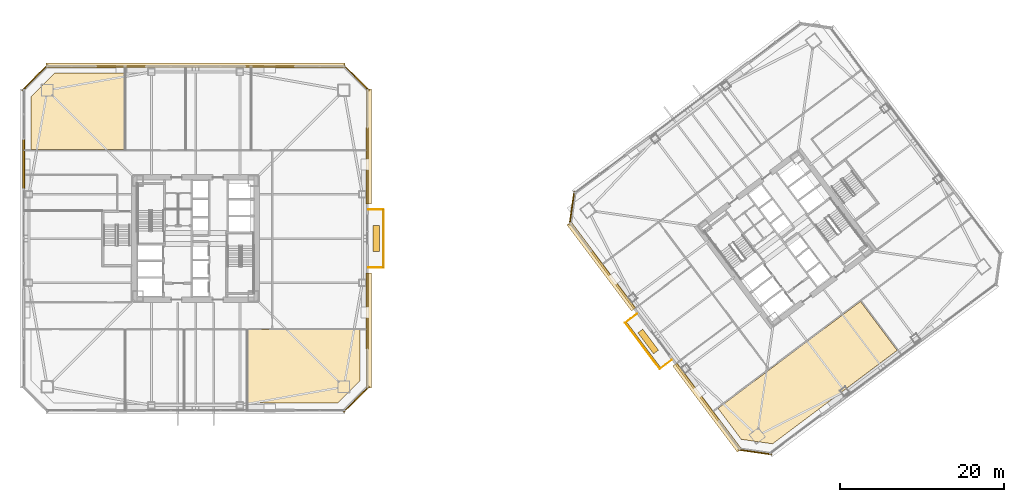
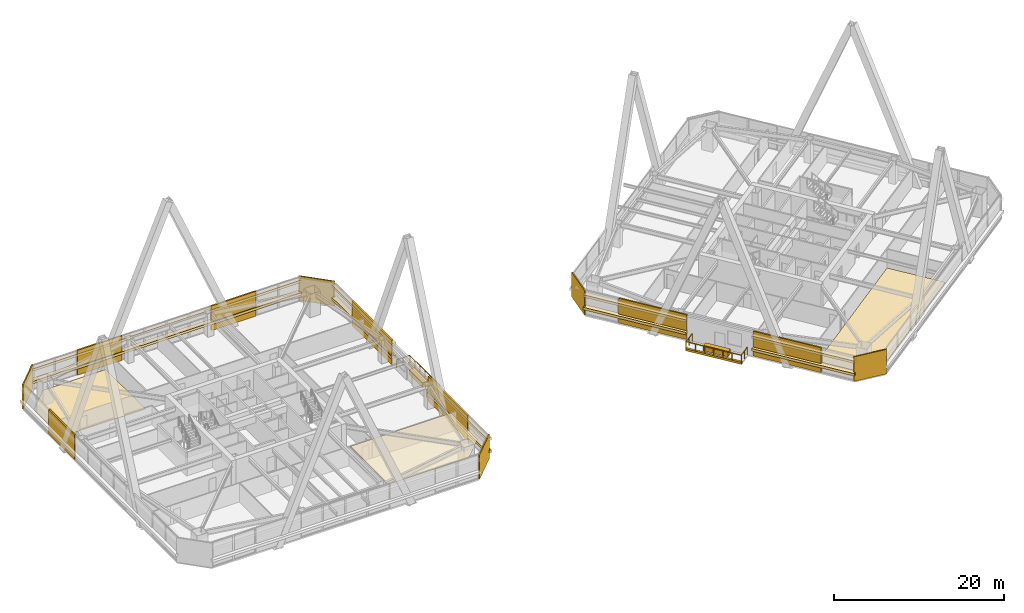
# One storey, part 50 of 54: 29 coverings, 6 railings.
"""IFC4 building model written with IfcOpenShell, lengths in metres."""

from ifc_helpers import new_model, si_unit, direction, frame, origin, origin_2d, place, context, subcontext, project, spatial, polyline, rectangle, outline, extrude, material, layer, layer_set, type_object, element, save


model = new_model("IFC4")

# Units and contexts
model_context = context("Model", 3, precision=1e-05, world=origin(), true_north=direction((0.0, 1.0)))
body_context = subcontext(model_context, "Body", "Model", "MODEL_VIEW")
ifc_project = project(units=[si_unit("LENGTHUNIT", "METRE"), si_unit("AREAUNIT", "SQUARE_METRE"), si_unit("VOLUMEUNIT", "CUBIC_METRE"), si_unit("PLANEANGLEUNIT", "RADIAN"), si_unit("MASSUNIT", "GRAM", prefix="KILO")], contexts=[model_context])

# Site, building, storey
site_placement = place(None, origin())
site = spatial("IfcSite", under=ifc_project, at=site_placement, CompositionType="ELEMENT")
building_placement = place(site_placement, origin())
building = spatial("IfcBuilding", under=site, at=building_placement, Name="Tashvorn Skyway Center", CompositionType="ELEMENT")
storey_placement = place(building_placement, frame((0.0, 0.0, 88.5)))
storey = spatial("IfcBuildingStorey", under=building, at=storey_placement, Name="L23", CompositionType="ELEMENT", Elevation=88.5)

# Coverings
ifc_material_1 = material(Name="Precast concrete C40/50", Category="concrete")
ifc_layer_1 = layer(ifc_material_1, 0.199951171875)
ifc_layer_set_1 = layer_set([ifc_layer_1], Name="Precast concrete C40/50")
covering_type_1 = type_object("IfcCoveringType", Name="COV-BRACE-CLAD", PredefinedType="CLADDING", material=ifc_layer_set_1)
for number, where, z_axis, x_axis, name in (
    (1, (21.02001953125, 41.090087890625, 0.0), (0.0, 0.0, 1.0), (0.0, 1.0, 0.0), "Tower 1 L23 West Unitised Curtain Wall Mega-Brace Cladding Band 2"),
    (2, (32.909912109375, 52.97998046875, 0.0), (0.0, 0.0, 1.0), (1.0, 0.0, 0.0), "Tower 1 L23 North Unitised Curtain Wall Mega-Brace Cladding Band 1"),
    (3, (51.090087890625, 52.97998046875, 0.0), (0.0, 0.0, 1.0), (1.0, 0.0, 0.0), "Tower 1 L23 North Unitised Curtain Wall Mega-Brace Cladding Band 2"),
):
    element("IfcCovering", number, at=place(storey_placement, frame(where, z_axis=z_axis, x_axis=x_axis)), inside=storey, type_object=covering_type_1, Name=name, PredefinedType="CLADDING", context=body_context, shape_type="SweptSolid", body=[
        extrude(rectangle(XDim=6.06005859375, YDim=0.199951171875, at=origin_2d()), origin(), (0.0, 0.0, 1.0), 3.550048828125),
    ])
for number, where, z_axis, x_axis, name in (
    (4, (62.97998046875, 40.893310546875, 0.0), (0.0, 0.0, 1.0), (0.0, -1.0, 0.0), "Tower 1 L23 East Curtain Wall L Mega-Brace Cladding Band 1"),
    (5, (62.97998046875, 23.106689453125, 0.0), (0.0, 0.0, 1.0), (0.0, -1.0, 0.0), "Tower 1 L23 East Curtain Wall R Mega-Brace Cladding Band 1"),
):
    element("IfcCovering", number, at=place(storey_placement, frame(where, z_axis=z_axis, x_axis=x_axis)), inside=storey, type_object=covering_type_1, Name=name, PredefinedType="CLADDING", context=body_context, shape_type="SweptSolid", body=[
        extrude(rectangle(XDim=9.28662109375, YDim=0.199951171875, at=origin_2d()), origin(), (0.0, 0.0, 1.0), 3.550048828125),
    ])
for number, where, z_axis, x_axis, name in (
    (6, (103.251953125, 13.197265625, 0.0), (0.0, 0.0, 1.0), (-0.600000004945, 0.799999996291, 0.0), "Tower 2 L23 West Curtain Wall L Mega-Brace Cladding Band 1"),
    (7, (92.93994140625, 26.946533203125, 0.0), (0.0, 0.0, 1.0), (-0.600000004945, 0.799999996291, 0.0), "Tower 2 L23 West Curtain Wall R Mega-Brace Cladding Band 1"),
):
    element("IfcCovering", number, at=place(storey_placement, frame(where, z_axis=z_axis, x_axis=x_axis)), inside=storey, type_object=covering_type_1, Name=name, PredefinedType="CLADDING", context=body_context, shape_type="SweptSolid", body=[
        extrude(rectangle(XDim=8.6865234375, YDim=0.199951171875, at=origin_2d()), origin(), (0.0, 0.0, 1.0), 3.550048828125),
    ])
ifc_material_2 = material(Name="Mineral-fibre acoustic ceiling tile on suspended grid")
ifc_layer_2 = layer(ifc_material_2, 0.02001953125)
ifc_layer_set_2 = layer_set([ifc_layer_2], Name="Mineral-fibre acoustic ceiling tile on suspended grid")
covering_type_2 = type_object("IfcCoveringType", Name="COV-CEIL-20", PredefinedType="CEILING", material=ifc_layer_set_2)
covering_1_placement = place(storey_placement, frame((0.0, 0.0, 2.68310546875)))
element("IfcCovering", 8, at=covering_1_placement, inside=storey, type_object=covering_type_2, Name="Tower 1 L23 Catering Pantry Acoustic Ceiling", PredefinedType="CEILING", context=body_context, shape_type="SweptSolid", body=[
    extrude(outline(polyline([(48.419921875, 11.919921875), (48.419921875, 20.909912109375), (62.080078125, 20.909912109375), (62.080078125, 14.679931640625), (59.320068359375, 11.919921875), (48.419921875, 11.919921875)])), origin(), (0.0, 0.0, 1.0), 0.019775390625),
])
ifc_material_3 = material(Name="Polished Mojave desert-aggregate terrazzo and cover plate")
ifc_layer_3 = layer(ifc_material_3, 0.0400390625)
ifc_layer_set_3 = layer_set([ifc_layer_3], Name="Polished Mojave desert-aggregate terrazzo and cover plate")
covering_type_3 = type_object("IfcCoveringType", Name="COV-FLR-40", PredefinedType="FLOORING", material=ifc_layer_set_3)
covering_2_placement = place(storey_placement, origin())
element("IfcCovering", 9, at=covering_2_placement, inside=storey, type_object=covering_type_3, Name="Tower 1 L23 Conference Room Finish Flooring", PredefinedType="FLOORING", context=body_context, shape_type="SweptSolid", body=[
    extrude(outline(polyline([(33.320068359375, 42.85009765625), (21.8798828125, 42.85009765625), (21.8798828125, 49.280029296875), (24.800048828125, 52.199951171875), (33.320068359375, 52.199951171875), (33.320068359375, 42.85009765625)])), origin(), (0.0, 0.0, 1.0), 0.0400390625),
])
covering_3_placement = place(storey_placement, origin())
element("IfcCovering", 10, at=covering_3_placement, inside=storey, type_object=covering_type_3, Name="Tower 2 L23 Wellness Clinic Finish Flooring", PredefinedType="FLOORING", context=body_context, shape_type="SweptSolid", body=[
    extrude(outline(polyline([(112.419921875, 6.93994140625), (108.612060546875, 7.48388671875), (105.77392578125, 11.26806640625), (123.166015625, 24.31201171875), (127.635986328125, 18.35205078125), (112.419921875, 6.93994140625)])), origin(), (0.0, 0.0, 1.0), 0.0400390625),
])
ifc_material_4 = material(Name="Perforated ceramic-coated bronze aluminium solar screen", Category="aluminium")
ifc_layer_4 = layer(ifc_material_4, 0.85009765625)
ifc_layer_set_4 = layer_set([ifc_layer_4], Name="Perforated ceramic-coated bronze aluminium solar screen")
covering_type_4 = type_object("IfcCoveringType", Name="COV-SOLAR-BAND", PredefinedType="CLADDING", material=ifc_layer_set_4)
for number, where, z_axis, x_axis, name in (
    (11, (42.0, 53.1201171875, 0.919921875), (0.0, 0.0, 1.0), (1.0, 0.0, 0.0), "L23 Perforated Ceramic-Metal Solar Screen Louvre Band North 1"),
    (12, (42.0, 53.1201171875, 2.7197265625), (0.0, 0.0, 1.0), (1.0, 0.0, 0.0), "L23 Perforated Ceramic-Metal Solar Screen Louvre Band North 2"),
):
    element("IfcCovering", number, at=place(storey_placement, frame(where, z_axis=z_axis, x_axis=x_axis)), inside=storey, type_object=covering_type_4, Name=name, PredefinedType="CLADDING", context=body_context, shape_type="SweptSolid", body=[
        extrude(rectangle(XDim=36.47998046875, YDim=0.639892578125, at=origin_2d()), origin(), (0.0, 0.0, 1.0), 0.360107421875),
    ])
for number, where, z_axis, x_axis, name in (
    (13, (63.1201171875, 43.215087890625, 0.919921875), (0.0, 0.0, 1.0), (0.0, -1.0, 0.0), "L23 Perforated Ceramic-Metal Solar Screen Louvre Band East 1"),
    (14, (63.1201171875, 43.215087890625, 2.7197265625), (0.0, 0.0, 1.0), (0.0, -1.0, 0.0), "L23 Perforated Ceramic-Metal Solar Screen Louvre Band East 2"),
    (15, (63.1201171875, 20.784912109375, 0.919921875), (0.0, 0.0, 1.0), (0.0, -1.0, 0.0), "L23 Perforated Ceramic-Metal Solar Screen Louvre Band East 1"),
    (16, (63.1201171875, 20.784912109375, 2.7197265625), (0.0, 0.0, 1.0), (0.0, -1.0, 0.0), "L23 Perforated Ceramic-Metal Solar Screen Louvre Band East 2"),
):
    element("IfcCovering", number, at=place(storey_placement, frame(where, z_axis=z_axis, x_axis=x_axis)), inside=storey, type_object=covering_type_4, Name=name, PredefinedType="CLADDING", context=body_context, shape_type="SweptSolid", body=[
        extrude(rectangle(XDim=14.050048828125, YDim=0.639892578125, at=origin_2d()), origin(), (0.0, 0.0, 1.0), 0.360107421875),
    ])
for number, where, z_axis, x_axis, name in (
    (17, (104.443115234375, 11.3759765625, 0.919921875), (0.0, 0.0, 1.0), (-0.600000004945, 0.799999996291, 0.0), "L23 Perforated Ceramic-Metal Solar Screen Louvre Band West 1"),
    (18, (104.443115234375, 11.3759765625, 2.7197265625), (0.0, 0.0, 1.0), (-0.600000004945, 0.799999996291, 0.0), "L23 Perforated Ceramic-Metal Solar Screen Louvre Band West 2"),
    (19, (91.52490234375, 28.60009765625, 0.919921875), (0.0, 0.0, 1.0), (-0.600000004945, 0.799999996291, 0.0), "L23 Perforated Ceramic-Metal Solar Screen Louvre Band West 1"),
    (20, (91.52490234375, 28.60009765625, 2.7197265625), (0.0, 0.0, 1.0), (-0.600000004945, 0.799999996291, 0.0), "L23 Perforated Ceramic-Metal Solar Screen Louvre Band West 2"),
):
    element("IfcCovering", number, at=place(storey_placement, frame(where, z_axis=z_axis, x_axis=x_axis)), inside=storey, type_object=covering_type_4, Name=name, PredefinedType="CLADDING", context=body_context, shape_type="SweptSolid", body=[
        extrude(rectangle(XDim=13.14990234375, YDim=0.639892578125, at=origin_2d()), origin(), (0.0, 0.0, 1.0), 0.360107421875),
    ])
ifc_layer_5 = layer(ifc_material_1, 0.35009765625)
ifc_layer_set_5 = layer_set([ifc_layer_5], Name="Precast concrete C40/50")
covering_type_5 = type_object("IfcCoveringType", Name="COV-STONE-TRIM", PredefinedType="CLADDING", material=ifc_layer_set_5)
covering_4_placement = place(storey_placement, frame((64.860107421875, 32.0, -0.16015625), z_axis=(0.0, 0.0, 1.0), x_axis=(0.0, -1.0, 0.0)))
element("IfcCovering", 21, at=covering_4_placement, inside=storey, type_object=covering_type_5, Name="Tower 1 L23 Spiral Terrace Terracotta Fascia", PredefinedType="CLADDING", context=body_context, shape_type="SweptSolid", body=[
    extrude(rectangle(XDim=7.199951171875, YDim=0.280029296875, at=origin_2d()), origin(), (0.0, 0.0, 1.0), 0.280029296875),
])
covering_5_placement = place(storey_placement, frame((64.050048828125, 32.0, 0.0), z_axis=(0.0, 0.0, 1.0), x_axis=(0.0, -1.0, 0.0)))
element("IfcCovering", 22, at=covering_5_placement, inside=storey, type_object=covering_type_5, Name="Tower 1 L23 Spiral Terrace Planter", PredefinedType="CLADDING", context=body_context, shape_type="SweptSolid", body=[
    extrude(rectangle(XDim=3.199951171875, YDim=0.75, at=origin_2d()), origin(), (0.0, 0.0, 1.0), 0.679931640625),
])
for number, where, z_axis, x_axis, name in (
    (23, (22.3798828125, 51.6201171875, 0.02001953125), (0.0, 0.0, 1.0), (-0.707106781187, -0.707106781187, 0.0), "Tower 1 L23 NW Mojave Limestone Corner Quoin"),
    (24, (61.6201171875, 51.6201171875, 0.02001953125), (0.0, 0.0, 1.0), (0.707106781187, -0.707106781187, 0.0), "Tower 1 L23 NE Mojave Limestone Corner Quoin"),
    (25, (61.6201171875, 12.3798828125, 0.02001953125), (0.0, 0.0, 1.0), (0.707106781187, 0.707106781187, 0.0), "Tower 1 L23 SE Mojave Limestone Corner Quoin"),
):
    element("IfcCovering", number, at=place(storey_placement, frame(where, z_axis=z_axis, x_axis=x_axis)), inside=storey, type_object=covering_type_5, Name=name, PredefinedType="CLADDING", context=body_context, shape_type="SweptSolid", body=[
        extrude(rectangle(XDim=4.402587890625, YDim=0.139892578125, at=origin_2d()), origin(), (0.0, 0.0, 1.0), 3.510009765625),
    ])
covering_6_placement = place(storey_placement, frame((96.592041015625, 18.944091796875, -0.16015625), z_axis=(0.0, 0.0, 1.0), x_axis=(-0.600000004945, 0.799999996291, 0.0)))
element("IfcCovering", 26, at=covering_6_placement, inside=storey, type_object=covering_type_5, Name="Tower 2 L23 Spiral Terrace Terracotta Fascia", PredefinedType="CLADDING", context=body_context, shape_type="SweptSolid", body=[
    extrude(rectangle(XDim=7.199951171875, YDim=0.280029296875, at=origin_2d()), origin(), (0.0, 0.0, 1.0), 0.280029296875),
])
covering_7_placement = place(storey_placement, frame((97.239990234375, 19.429931640625, 0.0), z_axis=(0.0, 0.0, 1.0), x_axis=(-0.600000004945, 0.799999996291, 0.0)))
element("IfcCovering", 27, at=covering_7_placement, inside=storey, type_object=covering_type_5, Name="Tower 2 L23 Spiral Terrace Planter", PredefinedType="CLADDING", context=body_context, shape_type="SweptSolid", body=[
    extrude(rectangle(XDim=3.199951171875, YDim=0.75, at=origin_2d()), origin(), (0.0, 0.0, 1.0), 0.679931640625),
])
for number, where, z_axis, x_axis, name in (
    (28, (110.27587890625, 5.931884765625, 0.02001953125), (0.0, 0.0, 1.0), (-0.989949494535, 0.141421350118, 0.0), "Tower 2 L23 SW Mojave Limestone Corner Quoin"),
    (29, (87.931884765625, 35.72412109375, 0.02001953125), (0.0, 0.0, 1.0), (-0.141421350118, -0.989949494535, 0.0), "Tower 2 L23 NW Mojave Limestone Corner Quoin"),
):
    element("IfcCovering", number, at=place(storey_placement, frame(where, z_axis=z_axis, x_axis=x_axis)), inside=storey, type_object=covering_type_5, Name=name, PredefinedType="CLADDING", context=body_context, shape_type="SweptSolid", body=[
        extrude(rectangle(XDim=4.119873046875, YDim=0.139892578125, at=origin_2d()), origin(), (0.0, 0.0, 1.0), 3.510009765625),
    ])

# Railings
ifc_material_5 = material(Name="Galvanized steel S355", Category="steel")
railing_type = type_object("IfcRailingType", Name="RAIL-GUARD-1120", PredefinedType="GUARDRAIL", material=ifc_material_5)
railing_1_placement = place(storey_placement, frame((63.10009765625, 28.47998046875, 0.0)))
element("IfcRailing", 30, at=railing_1_placement, inside=storey, type_object=railing_type, Name="L23 Tower 1 Terrace Guardrail 01", PredefinedType="GUARDRAIL", context=body_context, shape_type="SweptSolid", body=[
    extrude(rectangle(XDim=0.048095703125, YDim=0.048095703125, at=origin_2d()), frame((0.0, 0.0, 1.09619140625), z_axis=(1.0, 0.0, 0.0), x_axis=(0.0, 1.0, 0.0)), (0.0, 0.0, 1.0), 1.81982421875),
    extrude(rectangle(XDim=0.0419921875, YDim=0.0419921875, at=origin_2d()), origin(), (0.0, 0.0, 1.0), 1.072021484375),
    extrude(rectangle(XDim=0.0419921875, YDim=0.0419921875, at=origin_2d()), frame((0.909912109375, 0.0, 0.0)), (0.0, 0.0, 1.0), 1.072021484375),
    extrude(rectangle(XDim=0.0419921875, YDim=0.0419921875, at=origin_2d()), frame((1.81982421875, 0.0, 0.0)), (0.0, 0.0, 1.0), 1.072021484375),
])
railing_2_placement = place(storey_placement, frame((64.919921875, 28.47998046875, 0.0)))
element("IfcRailing", 31, at=railing_2_placement, inside=storey, type_object=railing_type, Name="L23 Tower 1 Terrace Guardrail 02", PredefinedType="GUARDRAIL", context=body_context, shape_type="SweptSolid", body=[
    extrude(rectangle(XDim=0.048095703125, YDim=0.048095703125, at=origin_2d()), frame((0.0, 0.0, 1.09619140625), z_axis=(0.0, 1.0, 0.0), x_axis=(-1.0, 0.0, 0.0)), (0.0, 0.0, 1.0), 7.0400390625),
    extrude(rectangle(XDim=0.0419921875, YDim=0.0419921875, at=origin_2d()), origin(), (0.0, 0.0, 1.0), 1.072021484375),
    extrude(rectangle(XDim=0.0419921875, YDim=0.0419921875, at=origin_2d()), frame((0.0, 1.17333984375, 0.0)), (0.0, 0.0, 1.0), 1.072021484375),
    extrude(rectangle(XDim=0.0419921875, YDim=0.0419921875, at=origin_2d()), frame((0.0, 2.3466796875, 0.0)), (0.0, 0.0, 1.0), 1.072021484375),
    extrude(rectangle(XDim=0.0419921875, YDim=0.0419921875, at=origin_2d()), frame((0.0, 3.52001953125, 0.0)), (0.0, 0.0, 1.0), 1.072021484375),
    extrude(rectangle(XDim=0.0419921875, YDim=0.0419921875, at=origin_2d()), frame((0.0, 4.693359375, 0.0)), (0.0, 0.0, 1.0), 1.072021484375),
    extrude(rectangle(XDim=0.0419921875, YDim=0.0419921875, at=origin_2d()), frame((0.0, 5.86669921875, 0.0)), (0.0, 0.0, 1.0), 1.072021484375),
    extrude(rectangle(XDim=0.0419921875, YDim=0.0419921875, at=origin_2d()), frame((0.0, 7.0400390625, 0.0)), (0.0, 0.0, 1.0), 1.072021484375),
])
railing_3_placement = place(storey_placement, frame((64.919921875, 35.52001953125, 0.0)))
element("IfcRailing", 32, at=railing_3_placement, inside=storey, type_object=railing_type, Name="L23 Tower 1 Terrace Guardrail 03", PredefinedType="GUARDRAIL", context=body_context, shape_type="SweptSolid", body=[
    extrude(rectangle(XDim=0.048095703125, YDim=0.048095703125, at=origin_2d()), frame((0.0, 0.0, 1.09619140625), z_axis=(-1.0, 0.0, 0.0), x_axis=(0.0, -1.0, 0.0)), (0.0, 0.0, 1.0), 1.81982421875),
    extrude(rectangle(XDim=0.0419921875, YDim=0.0419921875, at=origin_2d()), origin(), (0.0, 0.0, 1.0), 1.072021484375),
    extrude(rectangle(XDim=0.0419921875, YDim=0.0419921875, at=origin_2d()), frame((-0.909912109375, 0.0, 0.0)), (0.0, 0.0, 1.0), 1.072021484375),
    extrude(rectangle(XDim=0.0419921875, YDim=0.0419921875, at=origin_2d()), frame((-1.81982421875, 0.0, 0.0)), (0.0, 0.0, 1.0), 1.072021484375),
])
railing_4_placement = place(storey_placement, frame((100.112060546875, 17.18408203125, 0.0)))
element("IfcRailing", 33, at=railing_4_placement, inside=storey, type_object=railing_type, Name="L23 Tower 2 Terrace Guardrail 01", PredefinedType="GUARDRAIL", context=body_context, shape_type="SweptSolid", body=[
    extrude(rectangle(XDim=0.048095703125, YDim=0.048095703125, at=origin_2d()), frame((0.0, 0.0, 1.09619140625), z_axis=(-0.8, -0.6, 0.0), x_axis=(0.6, -0.8, 0.0)), (0.0, 0.0, 1.0), 1.820068359375),
    extrude(rectangle(XDim=0.0419921875, YDim=0.0419921875, at=origin_2d()), origin(), (0.0, 0.0, 1.0), 1.072021484375),
    extrude(rectangle(XDim=0.0419921875, YDim=0.0419921875, at=origin_2d()), frame((-0.72802734375, -0.5458984375, 0.0)), (0.0, 0.0, 1.0), 1.072021484375),
    extrude(rectangle(XDim=0.0419921875, YDim=0.0419921875, at=origin_2d()), frame((-1.4560546875, -1.092041015625, 0.0)), (0.0, 0.0, 1.0), 1.072021484375),
])
railing_5_placement = place(storey_placement, frame((98.656005859375, 16.092041015625, 0.0)))
element("IfcRailing", 34, at=railing_5_placement, inside=storey, type_object=railing_type, Name="L23 Tower 2 Terrace Guardrail 02", PredefinedType="GUARDRAIL", context=body_context, shape_type="SweptSolid", body=[
    extrude(rectangle(XDim=0.048095703125, YDim=0.048095703125, at=origin_2d()), frame((0.0, 0.0, 1.09619140625), z_axis=(-0.600005548528, 0.799995838574, 0.0), x_axis=(-0.799995838574, -0.600005548528, 0.0)), (0.0, 0.0, 1.0), 7.0400390625),
    extrude(rectangle(XDim=0.0419921875, YDim=0.0419921875, at=origin_2d()), origin(), (0.0, 0.0, 1.0), 1.072021484375),
    extrude(rectangle(XDim=0.0419921875, YDim=0.0419921875, at=origin_2d()), frame((-0.7041015625, 0.938720703125, 0.0)), (0.0, 0.0, 1.0), 1.072021484375),
    extrude(rectangle(XDim=0.0419921875, YDim=0.0419921875, at=origin_2d()), frame((-1.407958984375, 1.87744140625, 0.0)), (0.0, 0.0, 1.0), 1.072021484375),
    extrude(rectangle(XDim=0.0419921875, YDim=0.0419921875, at=origin_2d()), frame((-2.112060546875, 2.81591796875, 0.0)), (0.0, 0.0, 1.0), 1.072021484375),
    extrude(rectangle(XDim=0.0419921875, YDim=0.0419921875, at=origin_2d()), frame((-2.816162109375, 3.754638671875, 0.0)), (0.0, 0.0, 1.0), 1.072021484375),
    extrude(rectangle(XDim=0.0419921875, YDim=0.0419921875, at=origin_2d()), frame((-3.52001953125, 4.693359375, 0.0)), (0.0, 0.0, 1.0), 1.072021484375),
    extrude(rectangle(XDim=0.0419921875, YDim=0.0419921875, at=origin_2d()), frame((-4.22412109375, 5.632080078125, 0.0)), (0.0, 0.0, 1.0), 1.072021484375),
])
railing_6_placement = place(storey_placement, frame((94.431884765625, 21.72412109375, 0.0)))
element("IfcRailing", 35, at=railing_6_placement, inside=storey, type_object=railing_type, Name="L23 Tower 2 Terrace Guardrail 03", PredefinedType="GUARDRAIL", context=body_context, shape_type="SweptSolid", body=[
    extrude(rectangle(XDim=0.048095703125, YDim=0.048095703125, at=origin_2d()), frame((0.0, 0.0, 1.09619140625), z_axis=(0.800064386893, 0.599914141212, 0.0), x_axis=(-0.599914141212, 0.800064386893, 0.0)), (0.0, 0.0, 1.0), 1.81982421875),
    extrude(rectangle(XDim=0.0419921875, YDim=0.0419921875, at=origin_2d()), origin(), (0.0, 0.0, 1.0), 1.072021484375),
    extrude(rectangle(XDim=0.0419921875, YDim=0.0419921875, at=origin_2d()), frame((0.72802734375, 0.5458984375, 0.0)), (0.0, 0.0, 1.0), 1.072021484375),
    extrude(rectangle(XDim=0.0419921875, YDim=0.0419921875, at=origin_2d()), frame((1.4560546875, 1.091796875, 0.0)), (0.0, 0.0, 1.0), 1.072021484375),
])

save(model, "model.ifc")
